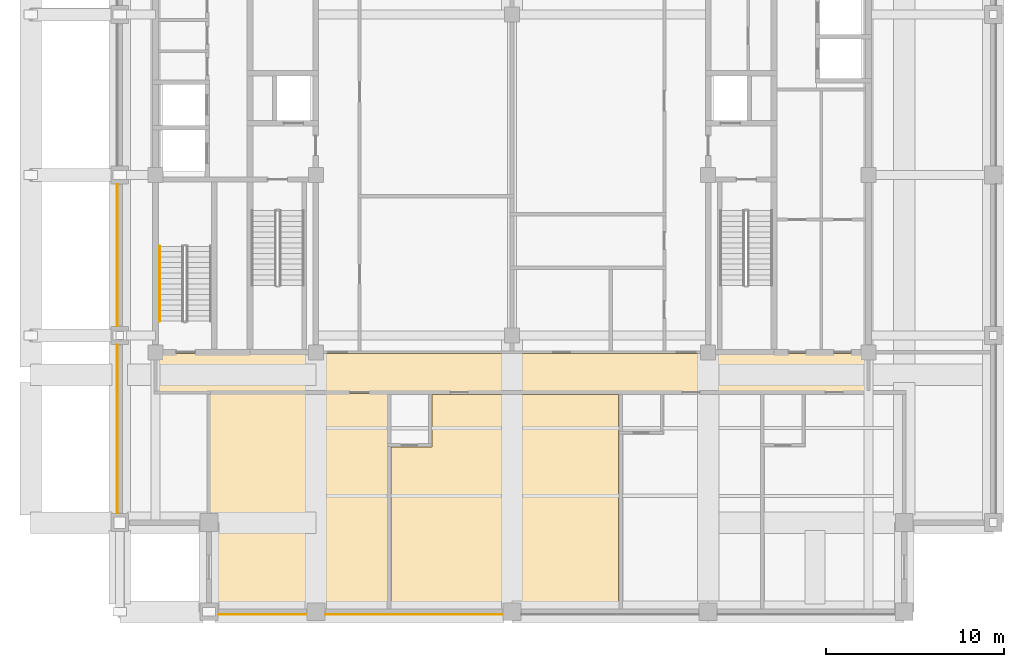
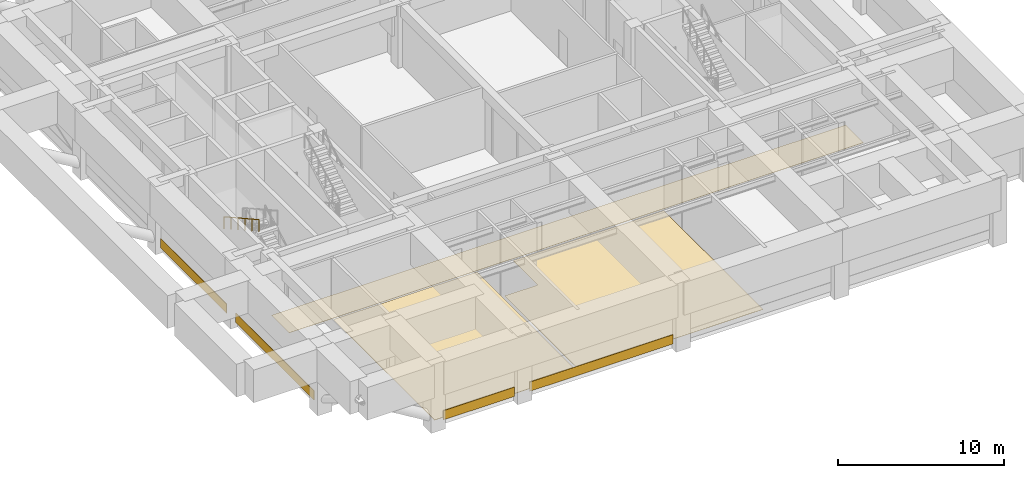
# One storey, part 8 of 11: 7 coverings, 1 railing.
"""IFC4 building model written with IfcOpenShell, lengths in metres."""

from ifc_helpers import new_model, si_unit, direction, frame, frame_2d, origin, origin_2d, place, context, subcontext, project, spatial, polyline, rectangle, outline, extrude, material, layer, layer_set, type_object, element, save


model = new_model("IFC4")

# Units and contexts
model_context = context("Model", 3, precision=1e-05, world=origin(), true_north=direction((0.0, 1.0)))
body_context = subcontext(model_context, "Body", "Model", "MODEL_VIEW")
ifc_project = project(units=[si_unit("LENGTHUNIT", "METRE"), si_unit("AREAUNIT", "SQUARE_METRE"), si_unit("VOLUMEUNIT", "CUBIC_METRE"), si_unit("PLANEANGLEUNIT", "RADIAN"), si_unit("MASSUNIT", "GRAM", prefix="KILO")], contexts=[model_context])

# Site, building, storey
site_placement = place(None, origin())
site = spatial("IfcSite", under=ifc_project, at=site_placement, CompositionType="ELEMENT")
building_placement = place(site_placement, origin())
building = spatial("IfcBuilding", under=site, at=building_placement, Name="Zulmaris Gate Convention Tower", CompositionType="ELEMENT")
storey_placement = place(building_placement, frame((0.0, 0.0, 186.4599609375)))
storey = spatial("IfcBuildingStorey", under=building, at=storey_placement, Name="L48", CompositionType="ELEMENT", Elevation=186.4599609375)

# Coverings
ifc_material_1 = material(Name="Precast concrete C40/50", Category="concrete")
ifc_layer_1 = layer(ifc_material_1, 0.0400390625, Name="Precast concrete C40/50")
ifc_layer_set_1 = layer_set([ifc_layer_1], Name="Precast concrete C40/50")
covering_type_1 = type_object("IfcCoveringType", Name="CLAD-SPANDREL-PRECAST", PredefinedType="CLADDING", material=ifc_layer_set_1)
covering_1_placement = place(storey_placement, frame((-16.469970703125, -24.64990234375, 0.0), z_axis=(0.0, 0.0, 1.0), x_axis=(1.0, 0.0, 0.0)))
element("IfcCovering", 1, at=covering_1_placement, inside=storey, type_object=covering_type_1, Name="CLD-L48-S-0_0", PredefinedType="CLADDING", context=body_context, shape_type="SweptSolid", body=[
    extrude(rectangle(XDim=4.93994140625, YDim=0.0400390625, at=frame_2d((2.469970703125, 0.0))), origin(), (0.0, 0.0, 1.0), 0.679931640625),
])
covering_2_placement = place(storey_placement, frame((-10.469970703125, -24.64990234375, 0.0), z_axis=(0.0, 0.0, 1.0), x_axis=(1.0, 0.0, 0.0)))
element("IfcCovering", 2, at=covering_2_placement, inside=storey, type_object=covering_type_1, Name="CLD-L48-S-1_0", PredefinedType="CLADDING", context=body_context, shape_type="SweptSolid", body=[
    extrude(rectangle(XDim=9.93994140625, YDim=0.0400390625, at=frame_2d((4.969970703125, 0.0))), origin(), (0.0, 0.0, 1.0), 0.679931640625),
])
covering_3_placement = place(storey_placement, frame((-22.14990234375, -9.530029296875, 0.0), z_axis=(0.0, 0.0, 1.0), x_axis=(0.0, -1.0, 0.0)))
element("IfcCovering", 3, at=covering_3_placement, inside=storey, type_object=covering_type_1, Name="CLD-L48-W-0_0", PredefinedType="CLADDING", context=body_context, shape_type="SweptSolid", body=[
    extrude(rectangle(XDim=9.43994140625, YDim=0.0400390625, at=frame_2d((4.719970703125, 0.0))), origin(), (0.0, 0.0, 1.0), 0.679931640625),
])
covering_4_placement = place(storey_placement, frame((-22.14990234375, -0.530029296875, 0.0), z_axis=(0.0, 0.0, 1.0), x_axis=(0.0, -1.0, 0.0)))
element("IfcCovering", 4, at=covering_4_placement, inside=storey, type_object=covering_type_1, Name="CLD-L48-W-1_0", PredefinedType="CLADDING", context=body_context, shape_type="SweptSolid", body=[
    extrude(rectangle(XDim=7.93994140625, YDim=0.0400390625, at=frame_2d((3.969970703125, 0.0))), origin(), (0.0, 0.0, 1.0), 0.679931640625),
])
ifc_material_2 = material(Name="Woven Acoustic Wool Carpet Tile")
ifc_layer_2 = layer(ifc_material_2, 0.02001953125, Name="Woven Acoustic Wool Carpet Tile")
ifc_layer_set_2 = layer_set([ifc_layer_2], Name="Woven Acoustic Wool Carpet Tile")
covering_type_2 = type_object("IfcCoveringType", Name="FLR-CARPET-12", PredefinedType="FLOORING", material=ifc_layer_set_2)
covering_5_placement = place(storey_placement, origin())
element("IfcCovering", 5, at=covering_5_placement, inside=storey, type_object=covering_type_2, Name="FLR-L48-R30", PredefinedType="FLOORING", context=body_context, shape_type="SweptSolid", body=[
    extrude(outline(polyline([(-19.93994140625, -12.139892578125), (19.93994140625, -12.139892578125), (19.93994140625, -10.010009765625), (-19.93994140625, -10.010009765625), (-19.93994140625, -12.139892578125)])), origin(), (0.0, 0.0, 1.0), 0.02001953125),
])
ifc_material_3 = material(Name="Polished Granite Terrazzo Tile", Category="masonry")
ifc_layer_3 = layer(ifc_material_3, 0.02001953125, Name="Polished Granite Terrazzo Tile")
ifc_layer_set_3 = layer_set([ifc_layer_3], Name="Polished Granite Terrazzo Tile")
covering_type_3 = type_object("IfcCoveringType", Name="FLR-TERRAZZO-30", PredefinedType="FLOORING", material=ifc_layer_set_3)
covering_6_placement = place(storey_placement, origin())
element("IfcCovering", 6, at=covering_6_placement, inside=storey, type_object=covering_type_3, Name="FLR-L48-R45", PredefinedType="FLOORING", context=body_context, shape_type="SweptSolid", body=[
    extrude(outline(polyline([(-16.93994140625, -24.43994140625), (-6.9599609375, -24.43994140625), (-6.9599609375, -12.260009765625), (-16.93994140625, -12.260009765625), (-16.93994140625, -24.43994140625)])), origin(), (0.0, 0.0, 1.0), 0.02001953125),
])
ifc_material_4 = material(Name="Engineered Teak Parquet Flooring")
ifc_layer_4 = layer(ifc_material_4, 0.02001953125, Name="Engineered Teak Parquet Flooring")
ifc_layer_set_4 = layer_set([ifc_layer_4], Name="Engineered Teak Parquet Flooring")
covering_type_4 = type_object("IfcCoveringType", Name="FLR-TIMBER-18", PredefinedType="FLOORING", material=ifc_layer_set_4)
covering_7_placement = place(storey_placement, origin())
element("IfcCovering", 7, at=covering_7_placement, inside=storey, type_object=covering_type_4, Name="FLR-L48-R47", PredefinedType="FLOORING", context=body_context, shape_type="SweptSolid", body=[
    extrude(outline(polyline([(-6.780029296875, -24.260009765625), (5.97998046875, -24.260009765625), (5.97998046875, -12.320068359375), (-4.47998046875, -12.320068359375), (-4.47998046875, -15.27001953125), (-6.780029296875, -15.27001953125), (-6.780029296875, -24.260009765625)])), origin(), (0.0, 0.0, 1.0), 0.02001953125),
])

# Railing
ifc_material_5 = material(Name="Brushed Stainless Steel", Category="steel")
railing_type = type_object("IfcRailingType", Name="RL-STH-900", PredefinedType="HANDRAIL", material=ifc_material_5)
railing_placement = place(storey_placement, frame((-19.77001953125, -4.0, 2.666748046875)))
element("IfcRailing", 8, at=railing_placement, inside=storey, type_object=railing_type, Name="L48 ST-3 stair handrail 2", PredefinedType="HANDRAIL", context=body_context, shape_type="SweptSolid", body=[
    extrude(rectangle(XDim=0.048095703125, YDim=0.048095703125, at=origin_2d()), frame((0.0, 0.0, 0.8759765625), z_axis=(0.0, -0.874162069901, 0.485634302275), x_axis=(1.0, 0.0, 0.0)), (0.0, 0.0, 1.0), 4.804443359375),
    extrude(rectangle(XDim=0.0419921875, YDim=0.0419921875, at=origin_2d()), origin(), (0.0, 0.0, 1.0), 0.851806640625),
    extrude(rectangle(XDim=0.0419921875, YDim=0.0419921875, at=origin_2d()), frame((0.0, -0.840087890625, 0.466552734375)), (0.0, 0.0, 1.0), 0.851806640625),
    extrude(rectangle(XDim=0.0419921875, YDim=0.0419921875, at=origin_2d()), frame((0.0, -1.679931640625, 0.933349609375)), (0.0, 0.0, 1.0), 0.851806640625),
    extrude(rectangle(XDim=0.0419921875, YDim=0.0419921875, at=origin_2d()), frame((0.0, -2.52001953125, 1.39990234375)), (0.0, 0.0, 1.0), 0.851806640625),
    extrude(rectangle(XDim=0.0419921875, YDim=0.0419921875, at=origin_2d()), frame((0.0, -3.35986328125, 1.86669921875)), (0.0, 0.0, 1.0), 0.851806640625),
    extrude(rectangle(XDim=0.0419921875, YDim=0.0419921875, at=origin_2d()), frame((0.0, -4.199951171875, 2.333251953125)), (0.0, 0.0, 1.0), 0.851806640625),
])

save(model, "model.ifc")
